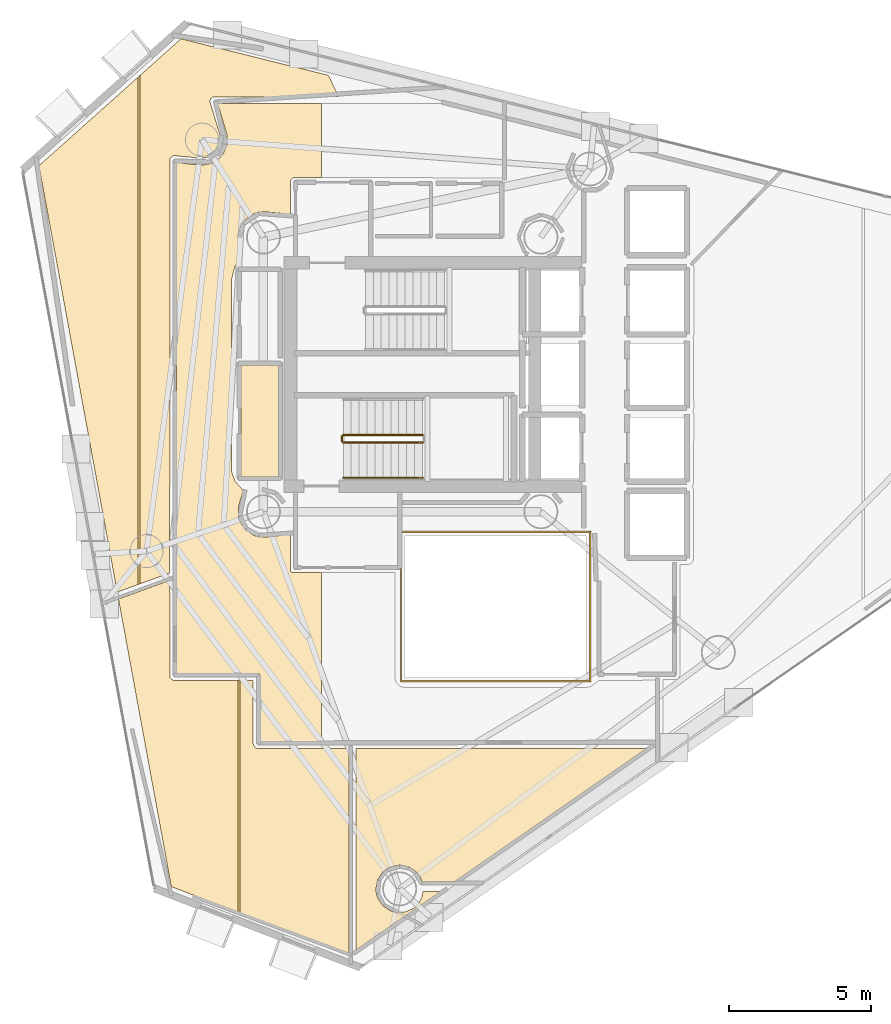
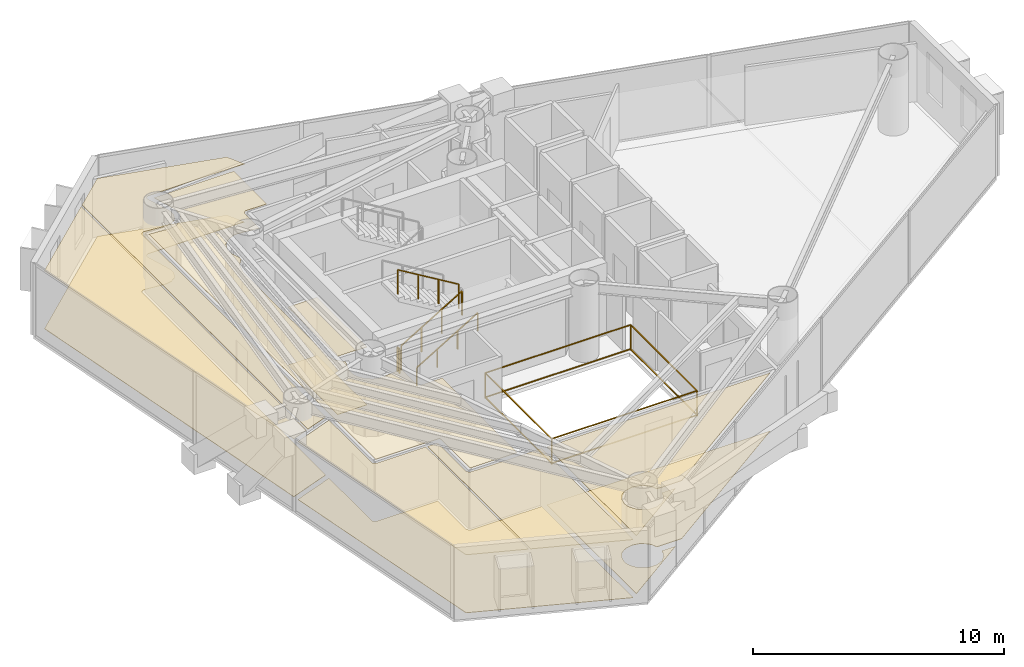
# One storey, part 22 of 23: 11 coverings, 5 railings.
"""IFC4 building model written with IfcOpenShell, lengths in metres."""

from ifc_helpers import new_model, si_unit, direction, frame, origin, origin_2d, place, context, subcontext, project, spatial, polyline, rectangle, outline, extrude, material, layer, layer_set, type_object, element, save


model = new_model("IFC4")

# Units and contexts
model_context = context("Model", 3, precision=1e-05, world=origin(), true_north=direction((0.0, 1.0)))
body_context = subcontext(model_context, "Body", "Model", "MODEL_VIEW")
ifc_project = project(units=[si_unit("LENGTHUNIT", "METRE"), si_unit("AREAUNIT", "SQUARE_METRE"), si_unit("VOLUMEUNIT", "CUBIC_METRE"), si_unit("PLANEANGLEUNIT", "RADIAN"), si_unit("MASSUNIT", "GRAM", prefix="KILO")], contexts=[model_context])

# Site, building, storey
site_placement = place(None, origin())
site = spatial("IfcSite", under=ifc_project, at=site_placement, CompositionType="ELEMENT")
building_placement = place(site_placement, origin())
building = spatial("IfcBuilding", under=site, at=building_placement, Name="Qianvela Tower", CompositionType="ELEMENT")
storey_placement = place(building_placement, frame((0.0, 0.0, 192.89990234375)))
storey = spatial("IfcBuildingStorey", under=building, at=storey_placement, Name="L49", CompositionType="ELEMENT", Elevation=192.89990234375)

# Coverings
ifc_material_1 = material(Name="Perforated Mineral Acoustic Ceiling Tile")
ifc_layer_1 = layer(ifc_material_1, 0.02490234375)
ifc_layer_set_1 = layer_set([ifc_layer_1], Name="Perforated Mineral Acoustic Ceiling Tile")
covering_type_1 = type_object("IfcCoveringType", Name="COV-CEIL-ACOUSTIC-25", PredefinedType="CEILING", material=ifc_layer_set_1)
covering_1_placement = place(storey_placement, frame((0.0, 0.0, 2.815185546875)))
element("IfcCovering", 1, at=covering_1_placement, inside=storey, type_object=covering_type_1, Name="L49 Acoustic Ceiling L49 Core Tea Pantry West", PredefinedType="CEILING", context=body_context, shape_type="SweptSolid", body=[
    extrude(outline(polyline([(27.800048828125, 25.080078125), (27.800048828125, 29.0400390625), (29.139892578125, 29.0400390625), (29.139892578125, 25.080078125), (27.800048828125, 25.080078125)])), origin(), (0.0, 0.0, 1.0), 0.02490234375),
])
covering_2_placement = place(storey_placement, frame((0.0, 0.0, 2.815185546875)))
element("IfcCovering", 2, at=covering_2_placement, inside=storey, type_object=covering_type_1, Name="L49 Acoustic Ceiling Bay 1 L49 Floor Corridor", PredefinedType="CEILING", context=body_context, shape_type="SweptSolid", body=[
    extrude(outline(polyline([(27.311767578125, 36.808837890625), (27.313720703125, 36.81640625), (27.31494140625, 36.82421875), (27.315185546875, 36.83203125), (27.315185546875, 37.152099609375), (27.31494140625, 37.159912109375), (27.313720703125, 37.16748046875), (27.311767578125, 37.17529296875), (26.979736328125, 38.27001953125), (30.6474609375, 38.27001953125), (30.6474609375, 35.658203125), (29.68798828125, 35.660888671875), (29.680419921875, 35.660400390625), (29.672607421875, 35.6591796875), (29.664794921875, 35.657470703125), (29.657470703125, 35.65478515625), (29.650390625, 35.6513671875), (29.6435546875, 35.6474609375), (29.63720703125, 35.642578125), (29.63134765625, 35.637451171875), (29.626220703125, 35.631591796875), (29.576171875, 35.57080078125), (29.571533203125, 35.564453125), (29.5673828125, 35.5576171875), (29.564208984375, 35.550537109375), (29.561279296875, 35.543212890625), (29.5595703125, 35.53564453125), (29.558349609375, 35.52783203125), (29.55810546875, 35.52001953125), (29.55810546875, 34.35595703125), (28.60791015625, 34.44970703125), (28.60009765625, 34.449951171875), (28.59228515625, 34.44970703125), (28.43212890625, 34.433837890625), (28.42431640625, 34.4326171875), (28.416748046875, 34.430908203125), (28.409423828125, 34.42822265625), (28.11376953125, 34.3056640625), (28.106689453125, 34.302490234375), (28.10009765625, 34.29833984375), (28.09375, 34.293701171875), (28.087890625, 34.288330078125), (27.861572265625, 34.06201171875), (27.8564453125, 34.056396484375), (27.851806640625, 34.050048828125), (27.84765625, 34.043212890625), (27.84423828125, 34.0361328125), (27.7216796875, 33.740478515625), (27.71923828125, 33.733154296875), (27.71728515625, 33.7255859375), (27.716064453125, 33.7177734375), (27.700439453125, 33.557861328125), (27.699951171875, 33.550048828125), (27.700439453125, 33.542236328125), (27.716064453125, 33.382080078125), (27.71728515625, 33.37451171875), (27.71923828125, 33.36669921875), (27.865478515625, 32.884521484375), (27.60107421875, 32.52685546875), (27.5966796875, 32.5205078125), (27.593017578125, 32.513427734375), (27.590087890625, 32.50634765625), (27.587890625, 32.4990234375), (27.472412109375, 32.0458984375), (27.47119140625, 32.039306640625), (27.47021484375, 32.03271484375), (27.469970703125, 32.026123046875), (27.469970703125, 25.291259765625), (27.47021484375, 25.2841796875), (27.47119140625, 25.27734375), (27.47265625, 25.2705078125), (27.474853515625, 25.263916015625), (27.59326171875, 24.938232421875), (27.59619140625, 24.93115234375), (27.599853515625, 24.92431640625), (27.604248046875, 24.91796875), (27.609130859375, 24.911865234375), (27.89111328125, 24.599853515625), (27.71923828125, 24.033203125), (27.71728515625, 24.025634765625), (27.716064453125, 24.017822265625), (27.7158203125, 24.010009765625), (27.7158203125, 23.68994140625), (27.716064453125, 23.68212890625), (27.71728515625, 23.67431640625), (27.71923828125, 23.666748046875), (27.765869140625, 23.512939453125), (27.7685546875, 23.505615234375), (27.77197265625, 23.49853515625), (27.77587890625, 23.49169921875), (27.95361328125, 23.2255859375), (27.958251953125, 23.219482421875), (27.963623046875, 23.213623046875), (27.969482421875, 23.208251953125), (27.9755859375, 23.20361328125), (28.24169921875, 23.02587890625), (28.24853515625, 23.02197265625), (28.255615234375, 23.0185546875), (28.262939453125, 23.015869140625), (28.416748046875, 22.96923828125), (28.42431640625, 22.96728515625), (28.43212890625, 22.966064453125), (28.59228515625, 22.950439453125), (28.60009765625, 22.949951171875), (28.60791015625, 22.950439453125), (29.55810546875, 23.0439453125), (29.55810546875, 21.780029296875), (29.558349609375, 21.772216796875), (29.5595703125, 21.764404296875), (29.561279296875, 21.7568359375), (29.564208984375, 21.74951171875), (29.5673828125, 21.7421875), (29.571533203125, 21.735595703125), (29.576171875, 21.729248046875), (29.581298828125, 21.723388671875), (29.587158203125, 21.71826171875), (29.593505859375, 21.71337890625), (29.600341796875, 21.70947265625), (29.607421875, 21.7060546875), (29.61474609375, 21.703369140625), (29.622314453125, 21.701416015625), (29.630126953125, 21.700439453125), (29.637939453125, 21.699951171875), (30.6474609375, 21.699951171875), (30.6474609375, 15.72998046875), (28.47998046875, 15.72998046875), (28.47998046875, 18.050048828125), (28.4794921875, 18.057861328125), (28.478515625, 18.065673828125), (28.4765625, 18.0732421875), (28.473876953125, 18.08056640625), (28.470703125, 18.087646484375), (28.466552734375, 18.094482421875), (28.4619140625, 18.100830078125), (28.45654296875, 18.106689453125), (28.45068359375, 18.11181640625), (28.4443359375, 18.116455078125), (28.437744140625, 18.12060546875), (28.4306640625, 18.123779296875), (28.423095703125, 18.126708984375), (28.41552734375, 18.12841796875), (28.40771484375, 18.129638671875), (28.39990234375, 18.1298828125), (25.530029296875, 18.1298828125), (25.530029296875, 36.180419921875), (26.423095703125, 36.09228515625), (26.430908203125, 36.092041015625), (26.438720703125, 36.09228515625), (26.446533203125, 36.093505859375), (26.760498046875, 36.156005859375), (26.76806640625, 36.157958984375), (26.775390625, 36.160400390625), (26.782470703125, 36.163818359375), (26.789306640625, 36.16796875), (27.055419921875, 36.345703125), (27.0615234375, 36.350341796875), (27.0673828125, 36.355712890625), (27.07275390625, 36.361328125), (27.174560546875, 36.485595703125), (27.17919921875, 36.491943359375), (27.183349609375, 36.498779296875), (27.186767578125, 36.505859375), (27.30908203125, 36.801513671875), (27.311767578125, 36.808837890625)])), origin(), (0.0, 0.0, 1.0), 0.02490234375),
])
covering_3_placement = place(storey_placement, frame((0.0, 0.0, 2.815185546875)))
element("IfcCovering", 3, at=covering_3_placement, inside=storey, type_object=covering_type_1, Name="L49 Acoustic Ceiling Bay 1 Student Reading Library L49-01", PredefinedType="CEILING", context=body_context, shape_type="SweptSolid", body=[
    extrude(outline(polyline([(23.48046875, 20.767578125), (25.290283203125, 21.42626953125), (25.29931640625, 18.01220703125), (25.2998046875, 18.00390625), (25.30126953125, 17.99560546875), (25.30322265625, 17.98779296875), (25.30615234375, 17.97998046875), (25.309814453125, 17.972900390625), (25.314208984375, 17.9658203125), (25.3193359375, 17.95947265625), (25.3251953125, 17.95361328125), (25.33154296875, 17.9482421875), (25.33837890625, 17.943603515625), (25.408935546875, 17.9013671875), (25.41650390625, 17.897216796875), (25.424560546875, 17.894287109375), (25.432861328125, 17.891845703125), (25.44140625, 17.890380859375), (25.449951171875, 17.889892578125), (27.6982421875, 17.889892578125), (27.6982421875, 9.706298828125), (25.344970703125, 10.609130859375), (23.48046875, 20.767578125)])), origin(), (0.0, 0.0, 1.0), 0.02490234375),
])
covering_4_placement = place(storey_placement, frame((0.0, 0.0, 2.815185546875)))
element("IfcCovering", 4, at=covering_4_placement, inside=storey, type_object=covering_type_1, Name="L49 Acoustic Ceiling Bay 2 Student Reading Library L49-01", PredefinedType="CEILING", context=body_context, shape_type="SweptSolid", body=[
    extrude(outline(polyline([(28.239990234375, 17.889892578125), (28.239990234375, 15.64990234375), (28.240478515625, 15.6416015625), (28.24169921875, 15.633056640625), (28.243896484375, 15.625), (28.2470703125, 15.616943359375), (28.2509765625, 15.609375), (28.255615234375, 15.602294921875), (28.3125, 15.52587890625), (28.31787109375, 15.519287109375), (28.32373046875, 15.513671875), (28.330078125, 15.50830078125), (28.337158203125, 15.50390625), (28.344482421875, 15.500244140625), (28.352294921875, 15.497314453125), (28.3603515625, 15.4951171875), (28.368408203125, 15.493896484375), (28.376708984375, 15.493408203125), (31.6298828125, 15.49267578125), (31.6298828125, 8.19873046875), (31.62939453125, 8.198486328125), (27.7783203125, 9.67578125), (27.7783203125, 17.889892578125), (28.239990234375, 17.889892578125)])), origin(), (0.0, 0.0, 1.0), 0.02490234375),
])
covering_5_placement = place(storey_placement, frame((0.0, 0.0, 2.815185546875)))
element("IfcCovering", 5, at=covering_5_placement, inside=storey, type_object=covering_type_1, Name="L49 Acoustic Ceiling Media Practice Cinema L49-02", PredefinedType="CEILING", context=body_context, shape_type="SweptSolid", body=[
    extrude(outline(polyline([(35.35009765625, 10.780029296875), (34.2060546875, 10.777099609375), (34.11865234375, 10.984375), (34.115234375, 10.9912109375), (34.111328125, 10.997802734375), (34.106689453125, 11.00390625), (34.01220703125, 11.119140625), (34.007080078125, 11.125), (34.001220703125, 11.130126953125), (33.994873046875, 11.135009765625), (33.748291015625, 11.2998046875), (33.74169921875, 11.3037109375), (33.734619140625, 11.30712890625), (33.72705078125, 11.309814453125), (33.719482421875, 11.3115234375), (33.4287109375, 11.369384765625), (33.4208984375, 11.37060546875), (33.4130859375, 11.37109375), (33.4052734375, 11.37060546875), (33.3974609375, 11.369384765625), (33.106689453125, 11.3115234375), (33.098876953125, 11.309814453125), (33.091552734375, 11.30712890625), (33.08447265625, 11.3037109375), (32.953125, 11.2333984375), (32.9462890625, 11.2294921875), (32.93994140625, 11.224853515625), (32.82470703125, 11.130126953125), (32.819091796875, 11.125), (32.813720703125, 11.119140625), (32.80908203125, 11.11279296875), (32.644287109375, 10.8662109375), (32.640380859375, 10.859619140625), (32.636962890625, 10.8525390625), (32.63427734375, 10.84521484375), (32.63232421875, 10.83740234375), (32.574462890625, 10.546630859375), (32.573486328125, 10.538818359375), (32.572998046875, 10.531005859375), (32.573486328125, 10.523193359375), (32.587890625, 10.375), (32.589111328125, 10.3671875), (32.591064453125, 10.359619140625), (32.63427734375, 10.216796875), (32.636962890625, 10.20947265625), (32.640380859375, 10.202392578125), (32.644287109375, 10.19580078125), (32.80908203125, 9.94921875), (32.813720703125, 9.94287109375), (32.819091796875, 9.93701171875), (32.82470703125, 9.931884765625), (32.831298828125, 9.927001953125), (33.07763671875, 9.76220703125), (33.08447265625, 9.75830078125), (33.091552734375, 9.7548828125), (33.098876953125, 9.752197265625), (33.241455078125, 9.708984375), (33.2490234375, 9.70703125), (33.2568359375, 9.7060546875), (33.2646484375, 9.70556640625), (33.561279296875, 9.70556640625), (33.569091796875, 9.7060546875), (33.576904296875, 9.70703125), (33.58447265625, 9.708984375), (33.591796875, 9.711669921875), (33.86572265625, 9.8251953125), (33.872802734375, 9.82861328125), (33.879638671875, 9.83251953125), (33.885986328125, 9.837158203125), (33.891845703125, 9.842529296875), (34.1015625, 10.05224609375), (34.106689453125, 10.05810546875), (34.111328125, 10.064208984375), (34.115478515625, 10.071044921875), (34.185791015625, 10.202392578125), (34.18896484375, 10.20947265625), (34.191650390625, 10.216796875), (34.193603515625, 10.22412109375), (34.237060546875, 10.437255859375), (34.8583984375, 10.438720703125), (31.873779296875, 8.3681640625), (31.873779296875, 15.49267578125), (42.138916015625, 15.489990234375), (35.35009765625, 10.780029296875)])), origin(), (0.0, 0.0, 1.0), 0.02490234375),
])
covering_6_placement = place(storey_placement, frame((0.0, 0.0, 2.815185546875)))
element("IfcCovering", 6, at=covering_6_placement, inside=storey, type_object=covering_type_1, Name="L49 Acoustic Ceiling Bay 1 Shared Communal Kitchen L49-05", PredefinedType="CEILING", context=body_context, shape_type="SweptSolid", body=[
    extrude(outline(polyline([(23.435791015625, 21.010986328125), (20.671875, 36.0712890625), (24.165771484375, 39.19384765625), (24.165771484375, 21.276611328125), (23.435791015625, 21.010986328125)])), origin(), (0.0, 0.0, 1.0), 0.02490234375),
])
covering_7_placement = place(storey_placement, frame((0.0, 0.0, 2.815185546875)))
element("IfcCovering", 7, at=covering_7_placement, inside=storey, type_object=covering_type_1, Name="L49 Acoustic Ceiling Bay 2 Shared Communal Kitchen L49-05", PredefinedType="CEILING", context=body_context, shape_type="SweptSolid", body=[
    extrude(outline(polyline([(30.895263671875, 39.263427734375), (31.2626953125, 38.510009765625), (26.848388671875, 38.506591796875), (26.8408203125, 38.506103515625), (26.8330078125, 38.5048828125), (26.8251953125, 38.503173828125), (26.818115234375, 38.50048828125), (26.810791015625, 38.4970703125), (26.80419921875, 38.4931640625), (26.7978515625, 38.48828125), (26.75048828125, 38.44970703125), (26.7451171875, 38.444580078125), (26.739990234375, 38.439208984375), (26.735595703125, 38.433349609375), (26.731689453125, 38.427001953125), (26.728271484375, 38.420654296875), (26.7255859375, 38.413818359375), (26.7236328125, 38.40673828125), (26.72216796875, 38.3994140625), (26.714111328125, 38.34619140625), (26.71337890625, 38.33740234375), (26.713623046875, 38.32861328125), (26.714599609375, 38.31982421875), (26.716796875, 38.311279296875), (27.0751953125, 37.12841796875), (27.0751953125, 36.864013671875), (26.97412109375, 36.61962890625), (26.902099609375, 36.531982421875), (26.682373046875, 36.385009765625), (26.423095703125, 36.33349609375), (25.457763671875, 36.42822265625), (25.449951171875, 36.4287109375), (25.442138671875, 36.42822265625), (25.434326171875, 36.427001953125), (25.4267578125, 36.42529296875), (25.41943359375, 36.422607421875), (25.412353515625, 36.419189453125), (25.405517578125, 36.4150390625), (25.33154296875, 36.36572265625), (25.3251953125, 36.361083984375), (25.319580078125, 36.355712890625), (25.314208984375, 36.35009765625), (25.3095703125, 36.34375), (25.305419921875, 36.3369140625), (25.30224609375, 36.329833984375), (25.299560546875, 36.322509765625), (25.297607421875, 36.31494140625), (25.29638671875, 36.30712890625), (25.296142578125, 36.29931640625), (25.2900390625, 21.685791015625), (24.24560546875, 21.3056640625), (24.24560546875, 39.265380859375), (25.690673828125, 40.556640625), (30.895263671875, 39.263427734375)])), origin(), (0.0, 0.0, 1.0), 0.02490234375),
])
ifc_material_2 = material(Name="Engineered Acoustic Oak Timber Flooring", Category="wood")
ifc_layer_2 = layer(ifc_material_2, 0.02001953125)
ifc_layer_set_2 = layer_set([ifc_layer_2], Name="Engineered Acoustic Oak Timber Flooring")
covering_type_2 = type_object("IfcCoveringType", Name="COV-FLOOR-OAK-20", PredefinedType="FLOORING", material=ifc_layer_set_2)
covering_8_placement = place(storey_placement, origin())
element("IfcCovering", 8, at=covering_8_placement, inside=storey, type_object=covering_type_2, Name="L49 Finish Flooring L49 Core Tea Pantry West", PredefinedType="FLOORING", context=body_context, shape_type="SweptSolid", body=[
    extrude(outline(polyline([(27.800048828125, 25.080078125), (27.800048828125, 29.0400390625), (29.139892578125, 29.0400390625), (29.139892578125, 25.080078125), (27.800048828125, 25.080078125)])), origin(), (0.0, 0.0, 1.0), 0.02001953125),
])
covering_9_placement = place(storey_placement, origin())
element("IfcCovering", 9, at=covering_9_placement, inside=storey, type_object=covering_type_2, Name="L49 Finish Flooring Student Reading Library L49-01", PredefinedType="FLOORING", context=body_context, shape_type="SweptSolid", body=[
    extrude(outline(polyline([(25.344970703125, 10.609130859375), (23.48046875, 20.767578125), (25.290283203125, 21.42626953125), (25.29931640625, 18.01220703125), (25.2998046875, 18.00390625), (25.30126953125, 17.99560546875), (25.30322265625, 17.98779296875), (25.30615234375, 17.97998046875), (25.309814453125, 17.972900390625), (25.314208984375, 17.9658203125), (25.3193359375, 17.95947265625), (25.3251953125, 17.95361328125), (25.33154296875, 17.9482421875), (25.33837890625, 17.943603515625), (25.408935546875, 17.9013671875), (25.41650390625, 17.897216796875), (25.424560546875, 17.894287109375), (25.432861328125, 17.891845703125), (25.44140625, 17.890380859375), (25.449951171875, 17.889892578125), (28.239990234375, 17.889892578125), (28.239990234375, 15.64990234375), (28.240478515625, 15.6416015625), (28.24169921875, 15.633056640625), (28.243896484375, 15.625), (28.2470703125, 15.616943359375), (28.2509765625, 15.609375), (28.255615234375, 15.602294921875), (28.3125, 15.52587890625), (28.31787109375, 15.519287109375), (28.32373046875, 15.513671875), (28.330078125, 15.50830078125), (28.337158203125, 15.50390625), (28.344482421875, 15.500244140625), (28.352294921875, 15.497314453125), (28.3603515625, 15.4951171875), (28.368408203125, 15.493896484375), (28.376708984375, 15.493408203125), (31.6298828125, 15.49267578125), (31.6298828125, 8.19873046875), (31.62939453125, 8.198486328125), (25.344970703125, 10.609130859375)])), origin(), (0.0, 0.0, 1.0), 0.02001953125),
])
covering_10_placement = place(storey_placement, origin())
element("IfcCovering", 10, at=covering_10_placement, inside=storey, type_object=covering_type_2, Name="L49 Finish Flooring Media Practice Cinema L49-02", PredefinedType="FLOORING", context=body_context, shape_type="SweptSolid", body=[
    extrude(outline(polyline([(35.35009765625, 10.780029296875), (34.2060546875, 10.777099609375), (34.11865234375, 10.984375), (34.115234375, 10.9912109375), (34.111328125, 10.997802734375), (34.106689453125, 11.00390625), (34.01220703125, 11.119140625), (34.007080078125, 11.125), (34.001220703125, 11.130126953125), (33.994873046875, 11.135009765625), (33.748291015625, 11.2998046875), (33.74169921875, 11.3037109375), (33.734619140625, 11.30712890625), (33.72705078125, 11.309814453125), (33.719482421875, 11.3115234375), (33.4287109375, 11.369384765625), (33.4208984375, 11.37060546875), (33.4130859375, 11.37109375), (33.4052734375, 11.37060546875), (33.3974609375, 11.369384765625), (33.106689453125, 11.3115234375), (33.098876953125, 11.309814453125), (33.091552734375, 11.30712890625), (33.08447265625, 11.3037109375), (32.953125, 11.2333984375), (32.9462890625, 11.2294921875), (32.93994140625, 11.224853515625), (32.82470703125, 11.130126953125), (32.819091796875, 11.125), (32.813720703125, 11.119140625), (32.80908203125, 11.11279296875), (32.644287109375, 10.8662109375), (32.640380859375, 10.859619140625), (32.636962890625, 10.8525390625), (32.63427734375, 10.84521484375), (32.63232421875, 10.83740234375), (32.574462890625, 10.546630859375), (32.573486328125, 10.538818359375), (32.572998046875, 10.531005859375), (32.573486328125, 10.523193359375), (32.587890625, 10.375), (32.589111328125, 10.3671875), (32.591064453125, 10.359619140625), (32.63427734375, 10.216796875), (32.636962890625, 10.20947265625), (32.640380859375, 10.202392578125), (32.644287109375, 10.19580078125), (32.80908203125, 9.94921875), (32.813720703125, 9.94287109375), (32.819091796875, 9.93701171875), (32.82470703125, 9.931884765625), (32.831298828125, 9.927001953125), (33.07763671875, 9.76220703125), (33.08447265625, 9.75830078125), (33.091552734375, 9.7548828125), (33.098876953125, 9.752197265625), (33.241455078125, 9.708984375), (33.2490234375, 9.70703125), (33.2568359375, 9.7060546875), (33.2646484375, 9.70556640625), (33.561279296875, 9.70556640625), (33.569091796875, 9.7060546875), (33.576904296875, 9.70703125), (33.58447265625, 9.708984375), (33.591796875, 9.711669921875), (33.86572265625, 9.8251953125), (33.872802734375, 9.82861328125), (33.879638671875, 9.83251953125), (33.885986328125, 9.837158203125), (33.891845703125, 9.842529296875), (34.1015625, 10.05224609375), (34.106689453125, 10.05810546875), (34.111328125, 10.064208984375), (34.115478515625, 10.071044921875), (34.185791015625, 10.202392578125), (34.18896484375, 10.20947265625), (34.191650390625, 10.216796875), (34.193603515625, 10.22412109375), (34.237060546875, 10.437255859375), (34.8583984375, 10.438720703125), (31.873779296875, 8.3681640625), (31.873779296875, 15.49267578125), (42.138916015625, 15.489990234375), (35.35009765625, 10.780029296875)])), origin(), (0.0, 0.0, 1.0), 0.02001953125),
])
covering_11_placement = place(storey_placement, origin())
element("IfcCovering", 11, at=covering_11_placement, inside=storey, type_object=covering_type_2, Name="L49 Finish Flooring Shared Communal Kitchen L49-05", PredefinedType="FLOORING", context=body_context, shape_type="SweptSolid", body=[
    extrude(outline(polyline([(25.690673828125, 40.556640625), (30.895263671875, 39.263427734375), (31.2626953125, 38.510009765625), (26.848388671875, 38.506591796875), (26.8408203125, 38.506103515625), (26.8330078125, 38.5048828125), (26.8251953125, 38.503173828125), (26.818115234375, 38.50048828125), (26.810791015625, 38.4970703125), (26.80419921875, 38.4931640625), (26.7978515625, 38.48828125), (26.75048828125, 38.44970703125), (26.7451171875, 38.444580078125), (26.739990234375, 38.439208984375), (26.735595703125, 38.433349609375), (26.731689453125, 38.427001953125), (26.728271484375, 38.420654296875), (26.7255859375, 38.413818359375), (26.7236328125, 38.40673828125), (26.72216796875, 38.3994140625), (26.714111328125, 38.34619140625), (26.71337890625, 38.33740234375), (26.713623046875, 38.32861328125), (26.714599609375, 38.31982421875), (26.716796875, 38.311279296875), (27.0751953125, 37.12841796875), (27.0751953125, 36.864013671875), (26.97412109375, 36.61962890625), (26.902099609375, 36.531982421875), (26.682373046875, 36.385009765625), (26.423095703125, 36.33349609375), (25.457763671875, 36.42822265625), (25.449951171875, 36.4287109375), (25.442138671875, 36.42822265625), (25.434326171875, 36.427001953125), (25.4267578125, 36.42529296875), (25.41943359375, 36.422607421875), (25.412353515625, 36.419189453125), (25.405517578125, 36.4150390625), (25.33154296875, 36.36572265625), (25.3251953125, 36.361083984375), (25.319580078125, 36.355712890625), (25.314208984375, 36.35009765625), (25.3095703125, 36.34375), (25.305419921875, 36.3369140625), (25.30224609375, 36.329833984375), (25.299560546875, 36.322509765625), (25.297607421875, 36.31494140625), (25.29638671875, 36.30712890625), (25.296142578125, 36.29931640625), (25.2900390625, 21.685791015625), (23.435791015625, 21.010986328125), (20.671875, 36.0712890625), (25.690673828125, 40.556640625)])), origin(), (0.0, 0.0, 1.0), 0.02001953125),
])

# Railings
ifc_material_3 = material(Name="Laminated Safety Glass and Stainless Steel 316", Category="steel")
railing_type_1 = type_object("IfcRailingType", Name="RL-ATRIUM-GUARD-1250", PredefinedType="GUARDRAIL", material=ifc_material_3)
railing_1_placement = place(storey_placement, frame((33.4599609375, 17.860107421875, 0.0)))
element("IfcRailing", 12, at=railing_1_placement, inside=storey, type_object=railing_type_1, Name="L49 Atrium Edge Guardrail 1", PredefinedType="GUARDRAIL", context=body_context, shape_type="SweptSolid", body=[
    extrude(rectangle(XDim=0.050048828125, YDim=0.0400390625, at=origin_2d()), frame((0.0, 0.0, 1.22998046875), z_axis=(0.0, 1.0, 0.0), x_axis=(-1.0, 0.0, 0.0)), (0.0, 0.0, 1.0), 5.27978515625),
    extrude(rectangle(XDim=0.050048828125, YDim=0.0400390625, at=origin_2d()), frame((0.0, 0.0, 0.050048828125), z_axis=(0.0, 1.0, 0.0), x_axis=(-1.0, 0.0, 0.0)), (0.0, 0.0, 1.0), 5.27978515625),
    extrude(rectangle(XDim=0.050048828125, YDim=0.0400390625, at=origin_2d()), frame((0.0, 5.27978515625, 1.22998046875), z_axis=(1.0, 0.0, 0.0), x_axis=(0.0, 1.0, 0.0)), (0.0, 0.0, 1.0), 6.679931640625),
    extrude(rectangle(XDim=0.050048828125, YDim=0.0400390625, at=origin_2d()), frame((0.0, 5.27978515625, 0.050048828125), z_axis=(1.0, 0.0, 0.0), x_axis=(0.0, 1.0, 0.0)), (0.0, 0.0, 1.0), 6.679931640625),
    extrude(rectangle(XDim=0.050048828125, YDim=0.0400390625, at=origin_2d()), frame((6.679931640625, 5.27978515625, 1.22998046875), z_axis=(0.0, -1.0, 0.0), x_axis=(1.0, 0.0, 0.0)), (0.0, 0.0, 1.0), 5.27978515625),
    extrude(rectangle(XDim=0.050048828125, YDim=0.0400390625, at=origin_2d()), frame((6.679931640625, 5.27978515625, 0.050048828125), z_axis=(0.0, -1.0, 0.0), x_axis=(1.0, 0.0, 0.0)), (0.0, 0.0, 1.0), 5.27978515625),
    extrude(rectangle(XDim=0.050048828125, YDim=0.0400390625, at=origin_2d()), frame((6.679931640625, 0.0, 1.22998046875), z_axis=(-1.0, 0.0, 0.0), x_axis=(0.0, -1.0, 0.0)), (0.0, 0.0, 1.0), 6.679931640625),
    extrude(rectangle(XDim=0.050048828125, YDim=0.0400390625, at=origin_2d()), frame((6.679931640625, 0.0, 0.050048828125), z_axis=(-1.0, 0.0, 0.0), x_axis=(0.0, -1.0, 0.0)), (0.0, 0.0, 1.0), 6.679931640625),
    extrude(rectangle(XDim=0.050048828125, YDim=0.050048828125, at=origin_2d()), origin(), (0.0, 0.0, 1.0), 1.2099609375),
    extrude(rectangle(XDim=0.050048828125, YDim=0.050048828125, at=origin_2d()), frame((0.0, 5.27978515625, 0.0)), (0.0, 0.0, 1.0), 1.2099609375),
    extrude(rectangle(XDim=0.050048828125, YDim=0.050048828125, at=origin_2d()), frame((6.679931640625, 5.27978515625, 0.0)), (0.0, 0.0, 1.0), 1.2099609375),
    extrude(rectangle(XDim=0.050048828125, YDim=0.050048828125, at=origin_2d()), frame((6.679931640625, 0.0, 0.0)), (0.0, 0.0, 1.0), 1.2099609375),
])
ifc_material_4 = material(Name="Painted Tubular Steel Q355B", Category="steel")
railing_type_2 = type_object("IfcRailingType", Name="RL-STAIR-GUARD-1200", PredefinedType="GUARDRAIL", material=ifc_material_4)
railing_2_placement = place(storey_placement, frame((31.419921875, 26.300048828125, 0.168212890625)))
element("IfcRailing", 13, at=railing_2_placement, inside=storey, type_object=railing_type_2, Name="L49 ST-2 stair guard 1", PredefinedType="GUARDRAIL", context=body_context, shape_type="SweptSolid", body=[
    extrude(rectangle(XDim=0.050048828125, YDim=0.0400390625, at=origin_2d()), frame((0.0, 0.0, 1.179931640625), z_axis=(0.857242210791, 0.0, 0.514913383045), x_axis=(0.0, 1.0, 0.0)), (0.0, 0.0, 1.0), 3.266357421875),
    extrude(rectangle(XDim=0.050048828125, YDim=0.050048828125, at=origin_2d()), origin(), (0.0, 0.0, 1.0), 1.159912109375),
    extrude(rectangle(XDim=0.050048828125, YDim=0.050048828125, at=origin_2d()), frame((0.933349609375, 0.0, 0.560546875)), (0.0, 0.0, 1.0), 1.159912109375),
    extrude(rectangle(XDim=0.050048828125, YDim=0.050048828125, at=origin_2d()), frame((1.86669921875, 0.0, 1.121337890625)), (0.0, 0.0, 1.0), 1.159912109375),
    extrude(rectangle(XDim=0.050048828125, YDim=0.050048828125, at=origin_2d()), frame((2.800048828125, 0.0, 1.681884765625)), (0.0, 0.0, 1.0), 1.159912109375),
])
railing_3_placement = place(storey_placement, frame((34.219970703125, 26.56005859375, 2.018310546875)))
element("IfcRailing", 14, at=railing_3_placement, inside=storey, type_object=railing_type_2, Name="L49 ST-2 stair guard 3", PredefinedType="GUARDRAIL", context=body_context, shape_type="SweptSolid", body=[
    extrude(rectangle(XDim=0.050048828125, YDim=0.0400390625, at=origin_2d()), frame((0.0, 0.0, 1.179931640625), z_axis=(-0.857242210791, 0.0, 0.514913383045), x_axis=(0.0, -1.0, 0.0)), (0.0, 0.0, 1.0), 3.266357421875),
    extrude(rectangle(XDim=0.050048828125, YDim=0.050048828125, at=origin_2d()), origin(), (0.0, 0.0, 1.0), 1.159912109375),
    extrude(rectangle(XDim=0.050048828125, YDim=0.050048828125, at=origin_2d()), frame((-0.933349609375, 0.0, 0.560546875)), (0.0, 0.0, 1.0), 1.159912109375),
    extrude(rectangle(XDim=0.050048828125, YDim=0.050048828125, at=origin_2d()), frame((-1.86669921875, 0.0, 1.121337890625)), (0.0, 0.0, 1.0), 1.159912109375),
    extrude(rectangle(XDim=0.050048828125, YDim=0.050048828125, at=origin_2d()), frame((-2.800048828125, 0.0, 1.681884765625)), (0.0, 0.0, 1.0), 1.159912109375),
])
railing_4_placement = place(storey_placement, frame((31.3701171875, 26.35009765625, 0.0)))
element("IfcRailing", 15, at=railing_4_placement, inside=storey, type_object=railing_type_2, Name="L49 ST-2 stair guard 4", PredefinedType="GUARDRAIL", context=body_context, shape_type="SweptSolid", body=[
    extrude(rectangle(XDim=0.050048828125, YDim=0.0400390625, at=origin_2d()), frame((0.0, 0.0, 1.179931640625), z_axis=(0.0, 1.0, 0.0), x_axis=(-1.0, 0.0, 0.0)), (0.0, 0.0, 1.0), 0.159912109375),
    extrude(rectangle(XDim=0.050048828125, YDim=0.050048828125, at=origin_2d()), origin(), (0.0, 0.0, 1.0), 1.159912109375),
    extrude(rectangle(XDim=0.050048828125, YDim=0.050048828125, at=origin_2d()), frame((0.0, 0.159912109375, 0.0)), (0.0, 0.0, 1.0), 1.159912109375),
])
ifc_material_5 = material(Name="Brushed Stainless Steel 304", Category="steel")
railing_type_3 = type_object("IfcRailingType", Name="RL-STAIR-HANDRAIL-900", PredefinedType="HANDRAIL", material=ifc_material_5)
railing_5_placement = place(storey_placement, frame((31.419921875, 25.050048828125, 0.168212890625)))
element("IfcRailing", 16, at=railing_5_placement, inside=storey, type_object=railing_type_3, Name="L49 ST-2 stair handrail 1", PredefinedType="HANDRAIL", context=body_context, shape_type="SweptSolid", body=[
    extrude(rectangle(XDim=0.050048828125, YDim=0.0400390625, at=origin_2d()), frame((0.0, 0.0, 0.8798828125), z_axis=(0.857242210791, 0.0, 0.514913383045), x_axis=(0.0, 1.0, 0.0)), (0.0, 0.0, 1.0), 3.266357421875),
    extrude(rectangle(XDim=0.050048828125, YDim=0.050048828125, at=origin_2d()), origin(), (0.0, 0.0, 1.0), 0.85986328125),
    extrude(rectangle(XDim=0.050048828125, YDim=0.050048828125, at=origin_2d()), frame((0.933349609375, 0.0, 0.560546875)), (0.0, 0.0, 1.0), 0.85986328125),
    extrude(rectangle(XDim=0.050048828125, YDim=0.050048828125, at=origin_2d()), frame((1.86669921875, 0.0, 1.121337890625)), (0.0, 0.0, 1.0), 0.85986328125),
    extrude(rectangle(XDim=0.050048828125, YDim=0.050048828125, at=origin_2d()), frame((2.800048828125, 0.0, 1.681884765625)), (0.0, 0.0, 1.0), 0.85986328125),
])

save(model, "model.ifc")
